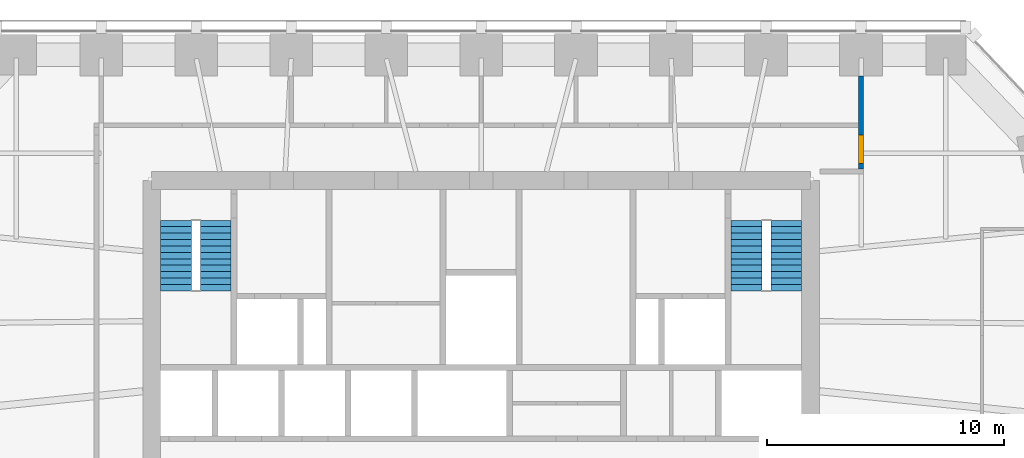
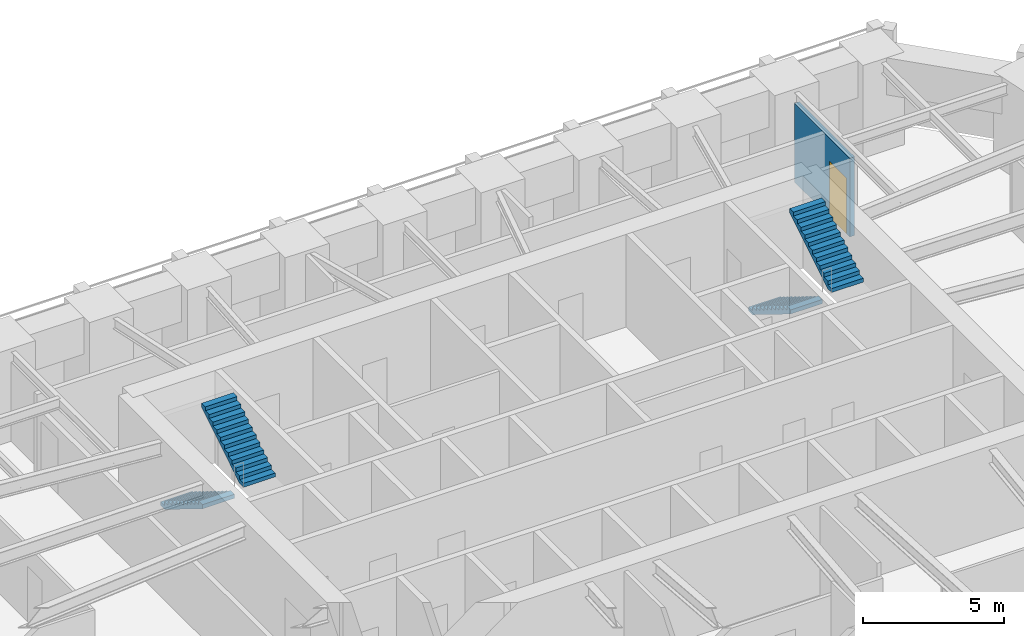
# One storey, part 8 of 10: 4 stair flights, 1 door, 1 wall, 1 opening, 2 elements without a shape of their own.
"""IFC4 building model written with IfcOpenShell, lengths in metres."""

from ifc_helpers import new_model, si_unit, direction, frame, frame_2d, origin, place, context, subcontext, project, spatial, polyline, rectangle, outline, extrude, material, layer, layer_set, type_object, element, fill, aggregate, save


model = new_model("IFC4")

# Units and contexts
model_context = context("Model", 3, precision=1e-05, world=origin(), true_north=direction((0.0, 1.0)))
body_context = subcontext(model_context, "Body", "Model", "MODEL_VIEW")
ifc_project = project(units=[si_unit("LENGTHUNIT", "METRE"), si_unit("AREAUNIT", "SQUARE_METRE"), si_unit("VOLUMEUNIT", "CUBIC_METRE"), si_unit("PLANEANGLEUNIT", "RADIAN"), si_unit("MASSUNIT", "GRAM", prefix="KILO")], contexts=[model_context])

# Site, building, storey
site_placement = place(None, origin())
site = spatial("IfcSite", under=ifc_project, at=site_placement, CompositionType="ELEMENT")
building_placement = place(site_placement, origin())
building = spatial("IfcBuilding", under=site, at=building_placement, Name="Isbrekke Arena Tower", CompositionType="ELEMENT")
storey_placement = place(building_placement, frame((0.0, 0.0, 147.0)))
storey = spatial("IfcBuildingStorey", under=building, at=storey_placement, Name="L33", CompositionType="ELEMENT", Elevation=147.0)

# Wall, opening, door
ifc_material_1 = material(Name="Gypsum board fire-cell wall on steel studs, two layers each side", Category="steel")
ifc_layer = layer(ifc_material_1, 0.199951171875)
ifc_layer_set = layer_set([ifc_layer], Name="IW3 FIRE-CELL WALL 200")
wall_type = type_object("IfcWallType", Name="IW3 FIRE-CELL WALL 200", PredefinedType="PARTITIONING", material=ifc_layer_set)
wall_placement = place(storey_placement, frame((16.0, 24.35009765625, 0.0), z_axis=(0.0, 0.0, 1.0), x_axis=(0.0, 1.0, 0.0)))
wall = element("IfcWall", 1, at=wall_placement, inside=storey, type_object=wall_type, Name="IW3 fire-cell wall 200 L33", PredefinedType="PARTITIONING", context=body_context, shape_type="SweptSolid", body=[
    extrude(rectangle(XDim=3.9248046875, YDim=0.199951171875, at=frame_2d((1.96240234375, 0.0))), origin(), (0.0, 0.0, 1.0), 3.39990234375),
])
opening_placement = place(wall_placement, frame((0.25, 0.0, 0.0)))
opening = element("IfcOpeningElement", 2, at=opening_placement, cuts=wall, Name="Opening D12", PredefinedType="OPENING", context=body_context, shape_type="SweptSolid", body=[
    extrude(rectangle(XDim=1.199951171875, YDim=2.39990234375, at=frame_2d((0.60009765625, 1.199951171875))), frame((0.0, 0.11474609375, 0.0), z_axis=(0.0, -1.0, 0.0), x_axis=(1.0, 0.0, 0.0)), (0.0, 0.0, 1.0), 0.229736328125),
])
ifc_material_2 = material(Name="Timber fire door with vision panel", Category="wood")
door_type = type_object("IfcDoorType", Name="D12 SUITE ENTRANCE DOOR 1200 x 2400", OperationType="SINGLE_SWING_LEFT", PredefinedType="DOOR", material=ifc_material_2)
door_placement = place(opening_placement, origin())
door = element("IfcDoor", 3, at=door_placement, inside=storey, type_object=door_type, Name="D12 suite entrance A door L33", OperationType="SINGLE_SWING_LEFT", OverallHeight=2.39990234375, OverallWidth=1.199951171875, PredefinedType="DOOR", context=body_context, shape_type="SweptSolid", body=[
    extrude(rectangle(XDim=1.199951171875, YDim=2.39990234375, at=frame_2d((0.60009765625, 1.199951171875))), frame((0.0, 0.099609375, 0.0), z_axis=(0.0, -1.0, 0.0), x_axis=(1.0, 0.0, 0.0)), (0.0, 0.0, 1.0), 0.199462890625),
])
fill(opening, door)

# Stair, stair flights
ifc_material_3 = material(Name="Concrete B45 (C45/55) precast", Category="concrete")
stair_type = type_object("IfcStairType", Name="ST40 STAIR 1300 WIDE, 24 RISERS 167", PredefinedType="HALF_TURN_STAIR", material=ifc_material_3)
stair_1_placement = place(storey_placement, origin())
stair_1 = element("IfcStair", 4, at=stair_1_placement, inside=storey, type_object=stair_type, Name="ST1 stair L33", PredefinedType="HALF_TURN_STAIR")
ifc_material_4 = material(Name="Concrete B45 (C45/55) precast", Category="concrete")
stair_flight_type = type_object("IfcStairFlightType", Name="SF 1300 FLIGHT", PredefinedType="STRAIGHT", material=ifc_material_4)
stair_flight_1_placement = place(storey_placement, frame((-12.85009765625, 22.199951171875, 0.0), z_axis=(0.0, 0.0, 1.0), x_axis=(0.0, -1.0, 0.0)))
stair_flight_1 = element("IfcStairFlight", 5, at=stair_flight_1_placement, type_object=stair_flight_type, Name="ST1 flight 1", NumberOfRisers=12, NumberOfTreads=11, PredefinedType="STRAIGHT", RiserHeight=0.166666667, TreadLength=0.27, context=body_context, shape_type="SweptSolid", body=[
    extrude(outline(polyline([(0.0, 0.0), (0.0, 0.166748046875), (0.27001953125, 0.166748046875), (0.27001953125, 0.333251953125), (0.5400390625, 0.333251953125), (0.5400390625, 0.5), (0.81005859375, 0.5), (0.81005859375, 0.666748046875), (1.080078125, 0.666748046875), (1.080078125, 0.833251953125), (1.35009765625, 0.833251953125), (1.35009765625, 1.0), (1.6201171875, 1.0), (1.6201171875, 1.166748046875), (1.889892578125, 1.166748046875), (1.889892578125, 1.333251953125), (2.159912109375, 1.333251953125), (2.159912109375, 1.5), (2.429931640625, 1.5), (2.429931640625, 1.666748046875), (2.699951171875, 1.666748046875), (2.699951171875, 1.833251953125), (2.969970703125, 1.833251953125), (2.969970703125, 2.0), (2.969970703125, 1.6572265625), (0.285400390625, 0.0), (0.0, 0.0)])), frame((0.0, 0.64990234375, 0.0), z_axis=(0.0, -1.0, 0.0), x_axis=(1.0, 0.0, 0.0)), (0.0, 0.0, 1.0), 1.300048828125),
])
stair_flight_2_placement = place(storey_placement, frame((-11.175048828125, 19.22998046875, 2.0), z_axis=(0.0, 0.0, 1.0), x_axis=(0.0, 1.0, 0.0)))
stair_flight_2 = element("IfcStairFlight", 6, at=stair_flight_2_placement, type_object=stair_flight_type, Name="ST1 flight 2", NumberOfRisers=12, NumberOfTreads=11, PredefinedType="STRAIGHT", RiserHeight=0.166666667, TreadLength=0.27, context=body_context, shape_type="SweptSolid", body=[
    extrude(outline(polyline([(0.0, 0.0), (0.0, 0.166748046875), (0.27001953125, 0.166748046875), (0.27001953125, 0.333251953125), (0.5400390625, 0.333251953125), (0.5400390625, 0.5), (0.81005859375, 0.5), (0.81005859375, 0.666748046875), (1.080078125, 0.666748046875), (1.080078125, 0.833251953125), (1.35009765625, 0.833251953125), (1.35009765625, 1.0), (1.6201171875, 1.0), (1.6201171875, 1.166748046875), (1.889892578125, 1.166748046875), (1.889892578125, 1.333251953125), (2.159912109375, 1.333251953125), (2.159912109375, 1.5), (2.429931640625, 1.5), (2.429931640625, 1.666748046875), (2.699951171875, 1.666748046875), (2.699951171875, 1.833251953125), (2.969970703125, 1.833251953125), (2.969970703125, 2.0), (2.969970703125, 1.6572265625), (0.285400390625, 0.0), (0.0, 0.0)])), frame((0.0, 0.64990234375, 0.0), z_axis=(0.0, -1.0, 0.0), x_axis=(1.0, 0.0, 0.0)), (0.0, 0.0, 1.0), 1.300048828125),
])
aggregate(stair_1, [stair_flight_1, stair_flight_2])

stair_2_placement = place(storey_placement, origin())
stair_2 = element("IfcStair", 7, at=stair_2_placement, inside=storey, type_object=stair_type, Name="ST2 stair L33", PredefinedType="HALF_TURN_STAIR")
stair_flight_3_placement = place(storey_placement, frame((11.175048828125, 22.199951171875, 0.0), z_axis=(0.0, 0.0, 1.0), x_axis=(0.0, -1.0, 0.0)))
stair_flight_3 = element("IfcStairFlight", 8, at=stair_flight_3_placement, type_object=stair_flight_type, Name="ST2 flight 1", NumberOfRisers=12, NumberOfTreads=11, PredefinedType="STRAIGHT", RiserHeight=0.166666667, TreadLength=0.27, context=body_context, shape_type="SweptSolid", body=[
    extrude(outline(polyline([(0.0, 0.0), (0.0, 0.166748046875), (0.27001953125, 0.166748046875), (0.27001953125, 0.333251953125), (0.5400390625, 0.333251953125), (0.5400390625, 0.5), (0.81005859375, 0.5), (0.81005859375, 0.666748046875), (1.080078125, 0.666748046875), (1.080078125, 0.833251953125), (1.35009765625, 0.833251953125), (1.35009765625, 1.0), (1.6201171875, 1.0), (1.6201171875, 1.166748046875), (1.889892578125, 1.166748046875), (1.889892578125, 1.333251953125), (2.159912109375, 1.333251953125), (2.159912109375, 1.5), (2.429931640625, 1.5), (2.429931640625, 1.666748046875), (2.699951171875, 1.666748046875), (2.699951171875, 1.833251953125), (2.969970703125, 1.833251953125), (2.969970703125, 2.0), (2.969970703125, 1.6572265625), (0.285400390625, 0.0), (0.0, 0.0)])), frame((0.0, 0.64990234375, 0.0), z_axis=(0.0, -1.0, 0.0), x_axis=(1.0, 0.0, 0.0)), (0.0, 0.0, 1.0), 1.300048828125),
])
stair_flight_4_placement = place(storey_placement, frame((12.85009765625, 19.22998046875, 2.0), z_axis=(0.0, 0.0, 1.0), x_axis=(0.0, 1.0, 0.0)))
stair_flight_4 = element("IfcStairFlight", 9, at=stair_flight_4_placement, type_object=stair_flight_type, Name="ST2 flight 2", NumberOfRisers=12, NumberOfTreads=11, PredefinedType="STRAIGHT", RiserHeight=0.166666667, TreadLength=0.27, context=body_context, shape_type="SweptSolid", body=[
    extrude(outline(polyline([(0.0, 0.0), (0.0, 0.166748046875), (0.27001953125, 0.166748046875), (0.27001953125, 0.333251953125), (0.5400390625, 0.333251953125), (0.5400390625, 0.5), (0.81005859375, 0.5), (0.81005859375, 0.666748046875), (1.080078125, 0.666748046875), (1.080078125, 0.833251953125), (1.35009765625, 0.833251953125), (1.35009765625, 1.0), (1.6201171875, 1.0), (1.6201171875, 1.166748046875), (1.889892578125, 1.166748046875), (1.889892578125, 1.333251953125), (2.159912109375, 1.333251953125), (2.159912109375, 1.5), (2.429931640625, 1.5), (2.429931640625, 1.666748046875), (2.699951171875, 1.666748046875), (2.699951171875, 1.833251953125), (2.969970703125, 1.833251953125), (2.969970703125, 2.0), (2.969970703125, 1.6572265625), (0.285400390625, 0.0), (0.0, 0.0)])), frame((0.0, 0.64990234375, 0.0), z_axis=(0.0, -1.0, 0.0), x_axis=(1.0, 0.0, 0.0)), (0.0, 0.0, 1.0), 1.300048828125),
])
aggregate(stair_2, [stair_flight_3, stair_flight_4])

save(model, "model.ifc")
